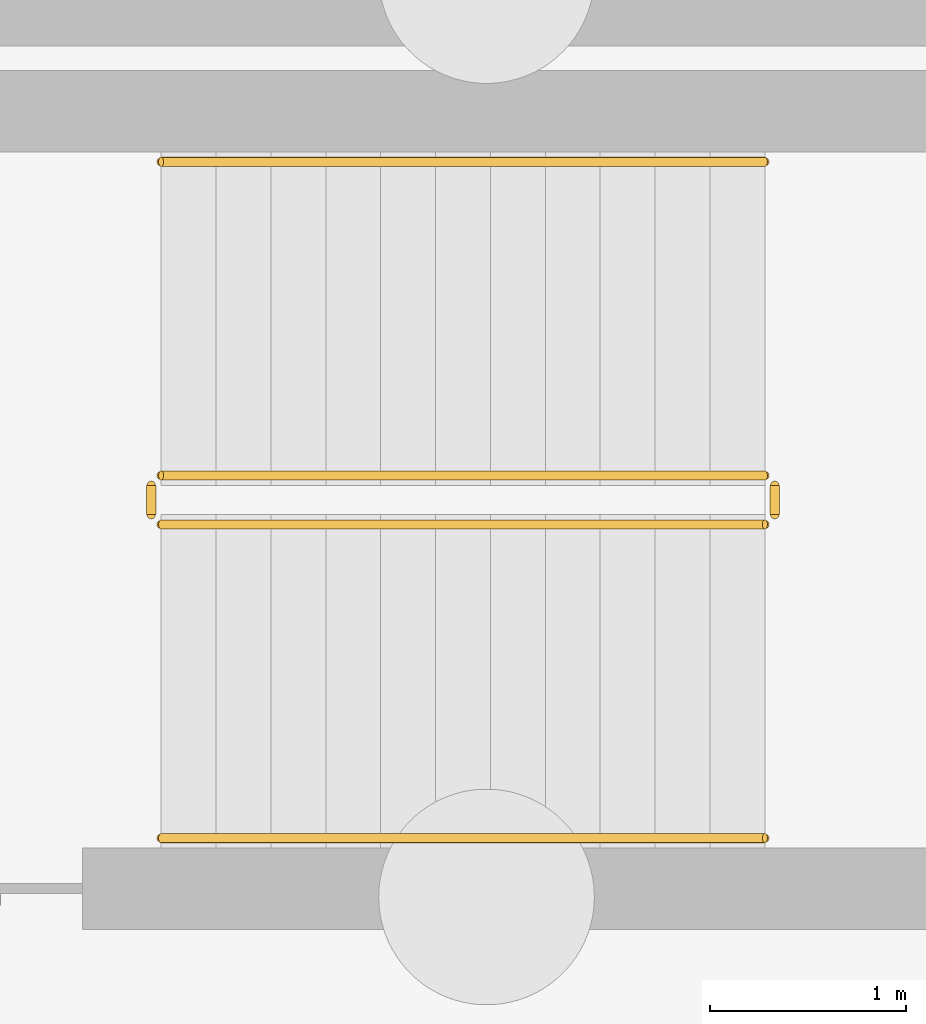
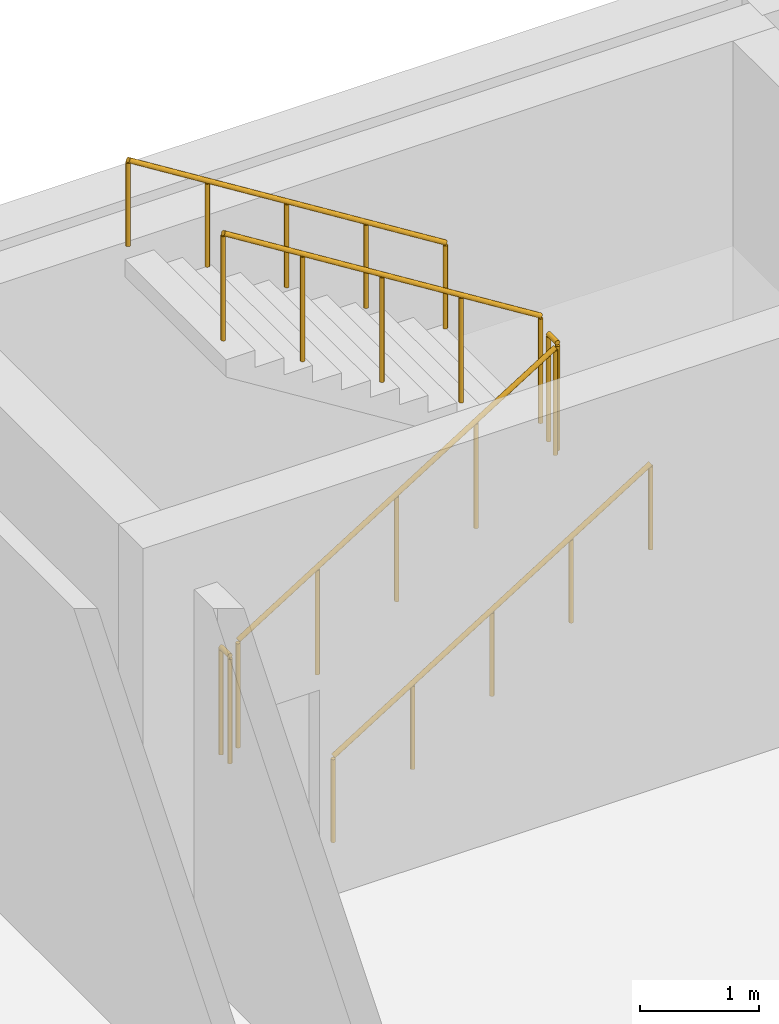
# One storey, part 29 of 31: 6 railings.
"""IFC4 building model written with IfcOpenShell, lengths in metres."""

from ifc_helpers import new_model, si_unit, direction, frame, origin, origin_2d, place, context, subcontext, project, spatial, circle, extrude, material, type_object, element, save


model = new_model("IFC4")

# Units and contexts
model_context = context("Model", 3, precision=1e-05, world=origin(), true_north=direction((0.0, 1.0)))
body_context = subcontext(model_context, "Body", "Model", "MODEL_VIEW")
ifc_project = project(units=[si_unit("LENGTHUNIT", "METRE"), si_unit("AREAUNIT", "SQUARE_METRE"), si_unit("VOLUMEUNIT", "CUBIC_METRE"), si_unit("PLANEANGLEUNIT", "RADIAN"), si_unit("MASSUNIT", "GRAM", prefix="KILO")], contexts=[model_context])

# Site, building, storey
site_placement = place(None, origin())
site = spatial("IfcSite", under=ifc_project, at=site_placement, CompositionType="ELEMENT")
building_placement = place(site_placement, origin())
building = spatial("IfcBuilding", under=site, at=building_placement, Name="Qalavern Law Courts", CompositionType="ELEMENT")
storey_placement = place(building_placement, frame((0.0, 0.0, -8.39990234375)))
storey = spatial("IfcBuildingStorey", under=building, at=storey_placement, Name="B2", CompositionType="ELEMENT", Elevation=-8.39990234375)

# Railings
ifc_material = material(Name="Steel S355", Category="steel")
railing_type_1 = type_object("IfcRailingType", Name="INT-GUARD-1120", PredefinedType="BALUSTRADE", material=ifc_material)
railing_1_placement = place(storey_placement, frame((21.699951171875, 110.10009765625, 0.1748046875)))
element("IfcRailing", 1, at=railing_1_placement, inside=storey, type_object=railing_type_1, Name="B2 ST-K3 stair guard 1", PredefinedType="BALUSTRADE", context=body_context, shape_type="SweptSolid", body=[
    extrude(circle(Radius=0.02392578125, at=origin_2d()), frame((0.0, 0.0, 1.09619140625), z_axis=(0.847998304005, 0.0, 0.529998940003), x_axis=(0.0, 1.0, 0.0)), (0.0, 0.0, 1.0), 3.632080078125),
    extrude(circle(Radius=0.02099609375, at=origin_2d()), origin(), (0.0, 0.0, 1.0), 1.072021484375),
    extrude(circle(Radius=0.02099609375, at=origin_2d()), frame((0.77001953125, 0.0, 0.481201171875)), (0.0, 0.0, 1.0), 1.072021484375),
    extrude(circle(Radius=0.02099609375, at=origin_2d()), frame((1.5400390625, 0.0, 0.96240234375)), (0.0, 0.0, 1.0), 1.072021484375),
    extrude(circle(Radius=0.02099609375, at=origin_2d()), frame((2.31005859375, 0.0, 1.44384765625)), (0.0, 0.0, 1.0), 1.072021484375),
    extrude(circle(Radius=0.02099609375, at=origin_2d()), frame((3.080078125, 0.0, 1.925048828125)), (0.0, 0.0, 1.0), 1.072021484375),
])
railing_2_placement = place(storey_placement, frame((24.830078125, 110.14990234375, 2.099853515625)))
element("IfcRailing", 2, at=railing_2_placement, inside=storey, type_object=railing_type_1, Name="B2 ST-K3 stair guard 2", PredefinedType="BALUSTRADE", context=body_context, shape_type="SweptSolid", body=[
    extrude(circle(Radius=0.02392578125, at=origin_2d()), frame((0.0, 0.0, 1.09619140625), z_axis=(0.0, 1.0, 0.0), x_axis=(-1.0, 0.0, 0.0)), (0.0, 0.0, 1.0), 0.150146484375),
    extrude(circle(Radius=0.02099609375, at=origin_2d()), origin(), (0.0, 0.0, 1.0), 1.072021484375),
    extrude(circle(Radius=0.02099609375, at=origin_2d()), frame((0.0, 0.150146484375, 0.0)), (0.0, 0.0, 1.0), 1.072021484375),
])
railing_3_placement = place(storey_placement, frame((24.780029296875, 110.35009765625, 2.27490234375)))
element("IfcRailing", 3, at=railing_3_placement, inside=storey, type_object=railing_type_1, Name="B2 ST-K3 stair guard 3", PredefinedType="BALUSTRADE", context=body_context, shape_type="SweptSolid", body=[
    extrude(circle(Radius=0.02392578125, at=origin_2d()), frame((0.0, 0.0, 1.09619140625), z_axis=(-0.847998304005, 0.0, 0.529998940003), x_axis=(0.0, -1.0, 0.0)), (0.0, 0.0, 1.0), 3.632080078125),
    extrude(circle(Radius=0.02099609375, at=origin_2d()), origin(), (0.0, 0.0, 1.0), 1.072021484375),
    extrude(circle(Radius=0.02099609375, at=origin_2d()), frame((-0.77001953125, 0.0, 0.481201171875)), (0.0, 0.0, 1.0), 1.072021484375),
    extrude(circle(Radius=0.02099609375, at=origin_2d()), frame((-1.5400390625, 0.0, 0.96240234375)), (0.0, 0.0, 1.0), 1.072021484375),
    extrude(circle(Radius=0.02099609375, at=origin_2d()), frame((-2.31005859375, 0.0, 1.44384765625)), (0.0, 0.0, 1.0), 1.072021484375),
    extrude(circle(Radius=0.02099609375, at=origin_2d()), frame((-3.080078125, 0.0, 1.925048828125)), (0.0, 0.0, 1.0), 1.072021484375),
])
railing_4_placement = place(storey_placement, frame((21.64990234375, 110.14990234375, 0.0)))
element("IfcRailing", 4, at=railing_4_placement, inside=storey, type_object=railing_type_1, Name="B2 ST-K3 stair guard 4", PredefinedType="BALUSTRADE", context=body_context, shape_type="SweptSolid", body=[
    extrude(circle(Radius=0.02392578125, at=origin_2d()), frame((0.0, 0.0, 1.09619140625), z_axis=(0.0, 1.0, 0.0), x_axis=(-1.0, 0.0, 0.0)), (0.0, 0.0, 1.0), 0.150146484375),
    extrude(circle(Radius=0.02099609375, at=origin_2d()), origin(), (0.0, 0.0, 1.0), 1.072021484375),
    extrude(circle(Radius=0.02099609375, at=origin_2d()), frame((0.0, 0.150146484375, 0.0)), (0.0, 0.0, 1.0), 1.072021484375),
])
railing_type_2 = type_object("IfcRailingType", Name="INT-HRAIL-920", PredefinedType="HANDRAIL", material=ifc_material)
railing_5_placement = place(storey_placement, frame((21.699951171875, 108.5, 0.1748046875)))
element("IfcRailing", 5, at=railing_5_placement, inside=storey, type_object=railing_type_2, Name="B2 ST-K3 stair handrail 1", PredefinedType="HANDRAIL", context=body_context, shape_type="SweptSolid", body=[
    extrude(circle(Radius=0.02392578125, at=origin_2d()), frame((0.0, 0.0, 0.8759765625), z_axis=(0.847998304005, 0.0, 0.529998940003), x_axis=(0.0, 1.0, 0.0)), (0.0, 0.0, 1.0), 3.632080078125),
    extrude(circle(Radius=0.02099609375, at=origin_2d()), origin(), (0.0, 0.0, 1.0), 0.851806640625),
    extrude(circle(Radius=0.02099609375, at=origin_2d()), frame((0.77001953125, 0.0, 0.481201171875)), (0.0, 0.0, 1.0), 0.851806640625),
    extrude(circle(Radius=0.02099609375, at=origin_2d()), frame((1.5400390625, 0.0, 0.96240234375)), (0.0, 0.0, 1.0), 0.851806640625),
    extrude(circle(Radius=0.02099609375, at=origin_2d()), frame((2.31005859375, 0.0, 1.44384765625)), (0.0, 0.0, 1.0), 0.851806640625),
    extrude(circle(Radius=0.02099609375, at=origin_2d()), frame((3.080078125, 0.0, 1.925048828125)), (0.0, 0.0, 1.0), 0.851806640625),
])
railing_6_placement = place(storey_placement, frame((24.780029296875, 111.949951171875, 2.27490234375)))
element("IfcRailing", 6, at=railing_6_placement, inside=storey, type_object=railing_type_2, Name="B2 ST-K3 stair handrail 2", PredefinedType="HANDRAIL", context=body_context, shape_type="SweptSolid", body=[
    extrude(circle(Radius=0.02392578125, at=origin_2d()), frame((0.0, 0.0, 0.8759765625), z_axis=(-0.847998304005, 0.0, 0.529998940003), x_axis=(0.0, -1.0, 0.0)), (0.0, 0.0, 1.0), 3.632080078125),
    extrude(circle(Radius=0.02099609375, at=origin_2d()), origin(), (0.0, 0.0, 1.0), 0.851806640625),
    extrude(circle(Radius=0.02099609375, at=origin_2d()), frame((-0.77001953125, 0.0, 0.481201171875)), (0.0, 0.0, 1.0), 0.851806640625),
    extrude(circle(Radius=0.02099609375, at=origin_2d()), frame((-1.5400390625, 0.0, 0.96240234375)), (0.0, 0.0, 1.0), 0.851806640625),
    extrude(circle(Radius=0.02099609375, at=origin_2d()), frame((-2.31005859375, 0.0, 1.44384765625)), (0.0, 0.0, 1.0), 0.851806640625),
    extrude(circle(Radius=0.02099609375, at=origin_2d()), frame((-3.080078125, 0.0, 1.925048828125)), (0.0, 0.0, 1.0), 0.851806640625),
])

save(model, "model.ifc")
